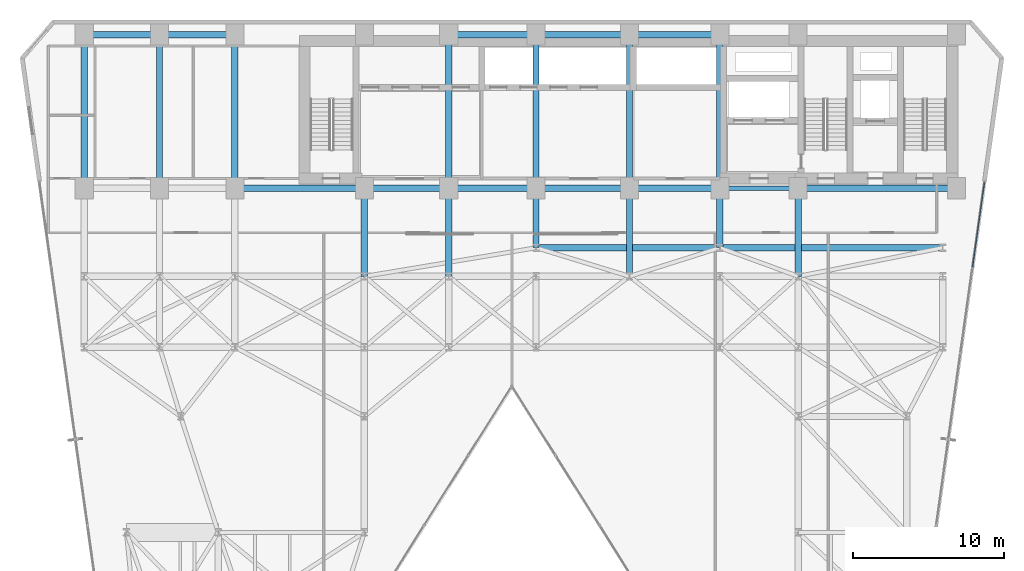
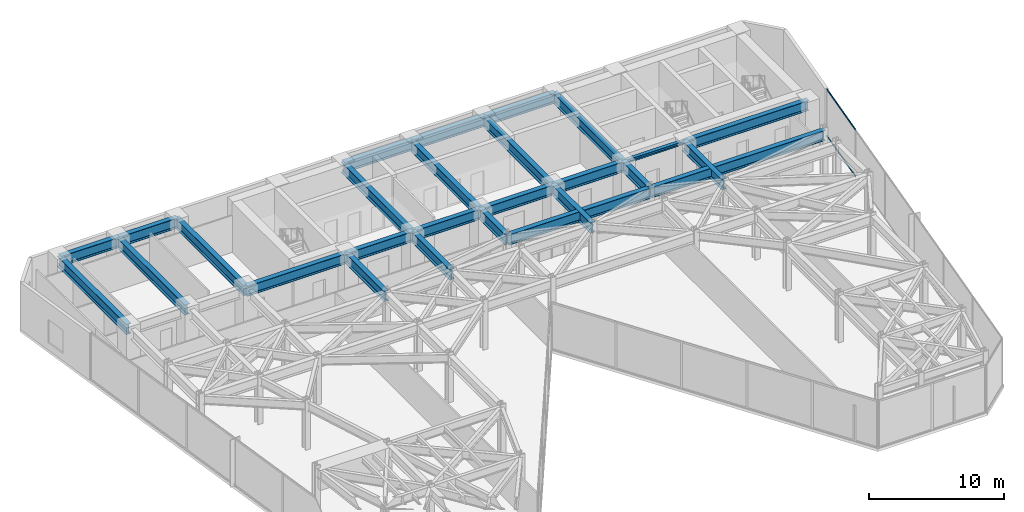
# One storey, part 21 of 28: 27 beams, 2 members, 1 element without a shape of its own.
"""IFC4 building model written with IfcOpenShell, lengths in metres."""

from ifc_helpers import new_model, si_unit, direction, frame, origin, origin_2d, place, context, subcontext, project, spatial, hollow_rectangle, i_section, extrude, material, layer, layer_set, material_profile, profile_set, type_object, element, aggregate, save


model = new_model("IFC4")

# Units and contexts
model_context = context("Model", 3, precision=1e-05, world=origin(), true_north=direction((0.0, 1.0)))
body_context = subcontext(model_context, "Body", "Model", "MODEL_VIEW")
ifc_project = project(units=[si_unit("LENGTHUNIT", "METRE"), si_unit("AREAUNIT", "SQUARE_METRE"), si_unit("VOLUMEUNIT", "CUBIC_METRE"), si_unit("PLANEANGLEUNIT", "RADIAN"), si_unit("MASSUNIT", "GRAM", prefix="KILO")], contexts=[model_context])

# Site, building, storey
site_placement = place(None, origin())
site = spatial("IfcSite", under=ifc_project, at=site_placement, CompositionType="ELEMENT")
building_placement = place(site_placement, origin())
building = spatial("IfcBuilding", under=site, at=building_placement, Name="Kravanh Interchange Tower", CompositionType="ELEMENT")
storey_placement = place(building_placement, frame((0.0, 0.0, 91.5)))
storey = spatial("IfcBuildingStorey", under=building, at=storey_placement, Name="L21", CompositionType="ELEMENT", Elevation=91.5)

# Curtain wall, members
ifc_material_1 = material(Name="Anodised Bronze Aluminium", Category="aluminium")
ifc_layer = layer(ifc_material_1, 0.179931640625)
ifc_layer_set = layer_set([ifc_layer], Name="Unitised Curtain Wall System CW-SKY Sky Observatory")
curtain_wall_type = type_object("IfcCurtainWallType", Name="Unitised Curtain Wall System CW-SKY Sky Observatory", PredefinedType="NOTDEFINED", material=ifc_layer_set)
curtain_wall_placement = place(storey_placement, origin())
curtain_wall = element("IfcCurtainWall", 1, at=curtain_wall_placement, inside=storey, type_object=curtain_wall_type, Name="L21 Unitised Curtain Wall CW-L21-02", PredefinedType="NOTDEFINED")
ifc_material_2 = material(Name="Anodised Bronze Aluminium", Category="aluminium")
ifc_material_profile_1 = material_profile(ifc_material_2, hollow_rectangle(XDim=0.06005859375, YDim=0.139892578125, WallThickness=0.00390625, at=origin_2d()), Name="ALU60X140X4")
ifc_profile_set_1 = profile_set([ifc_material_profile_1], Name="Anodised Bronze Aluminium")
member_type = type_object("IfcMemberType", Name="Curtain Wall Transom ALU60X140X4 Bronze", PredefinedType="USERDEFINED", material=ifc_profile_set_1)
member_1_placement = place(storey_placement, frame((68.365478515625, 37.730712890625, 0.030029296875), z_axis=(-0.139193386559, -0.990265217575, 0.0), x_axis=(0.990265217575, -0.139193386559, 0.0)))
member_1 = element("IfcMember", 2, at=member_1_placement, type_object=member_type, Name="CW-SKY transom 1.1", ObjectType="TRANSOM", PredefinedType="USERDEFINED", context=body_context, shape_type="SweptSolid", body=[
    extrude(hollow_rectangle(XDim=0.06005859375, YDim=0.139892578125, WallThickness=0.00390625, at=origin_2d()), origin(), (0.0, 0.0, 1.0), 5.661865234375),
])
member_2_placement = place(storey_placement, frame((68.365478515625, 37.730712890625, 4.219970703125), z_axis=(-0.139193386559, -0.990265217575, 0.0), x_axis=(0.990265217575, -0.139193386559, 0.0)))
member_2 = element("IfcMember", 3, at=member_2_placement, type_object=member_type, Name="CW-SKY transom 1.2", ObjectType="TRANSOM", PredefinedType="USERDEFINED", context=body_context, shape_type="SweptSolid", body=[
    extrude(hollow_rectangle(XDim=0.06005859375, YDim=0.139892578125, WallThickness=0.00390625, at=origin_2d()), origin(), (0.0, 0.0, 1.0), 5.661865234375),
])
aggregate(curtain_wall, [member_1, member_2])

# Beams
ifc_material_3 = material(Name="Structural Steel S355", Category="steel")
ifc_material_profile_2 = material_profile(ifc_material_3, i_section(OverallWidth=0.41796875, OverallDepth=0.927001953125, WebThickness=0.019287109375, FlangeThickness=0.031982421875, FilletRadius=0.028076171875, at=origin_2d()), Name="W36X231")
ifc_profile_set_2 = profile_set([ifc_material_profile_2], Name="Structural Steel S355")
beam_type_1 = type_object("IfcBeamType", Name="Floor Beam W36X231 Structural Steel S355", PredefinedType="BEAM", material=ifc_profile_set_2)
beam_1_placement = place(storey_placement, frame((66.5, 37.35009765625, 3.78662109375), z_axis=(-1.0, 0.0, 0.0), x_axis=(0.0, -1.0, 0.0)))
element("IfcBeam", 4, at=beam_1_placement, inside=storey, type_object=beam_type_1, Name="L21 Primary Floor Girder 5", PredefinedType="BEAM", context=body_context, shape_type="SweptSolid", body=[
    extrude(i_section(OverallWidth=0.41796875, OverallDepth=0.927001953125, WebThickness=0.019287109375, FlangeThickness=0.031982421875, FilletRadius=0.028076171875, at=origin_2d()), origin(), (0.0, 0.0, 1.0), 10.5),
])
beam_2_placement = place(storey_placement, frame((56.0, 37.35009765625, 3.78662109375), z_axis=(0.0, -1.0, 0.0), x_axis=(1.0, 0.0, 0.0)))
element("IfcBeam", 5, at=beam_2_placement, inside=storey, type_object=beam_type_1, Name="L21 Primary Floor Girder 7", PredefinedType="BEAM", context=body_context, shape_type="SweptSolid", body=[
    extrude(i_section(OverallWidth=0.41796875, OverallDepth=0.927001953125, WebThickness=0.019287109375, FlangeThickness=0.031982421875, FilletRadius=0.028076171875, at=origin_2d()), origin(), (0.0, 0.0, 1.0), 5.85009765625),
])
beam_3_placement = place(storey_placement, frame((50.800048828125, 47.550048828125, 3.78662109375), z_axis=(-1.0, 0.0, 0.0), x_axis=(0.0, -1.0, 0.0)))
element("IfcBeam", 6, at=beam_3_placement, inside=storey, type_object=beam_type_1, Name="L21 Primary Floor Girder 8", PredefinedType="BEAM", context=body_context, shape_type="SweptSolid", body=[
    extrude(i_section(OverallWidth=0.41796875, OverallDepth=0.927001953125, WebThickness=0.019287109375, FlangeThickness=0.031982421875, FilletRadius=0.028076171875, at=origin_2d()), origin(), (0.0, 0.0, 1.0), 6.0),
])
beam_4_placement = place(storey_placement, frame((50.800048828125, 47.550048828125, 3.78662109375), z_axis=(0.0, -1.0, 0.0), x_axis=(1.0, 0.0, 0.0)))
element("IfcBeam", 7, at=beam_4_placement, inside=storey, type_object=beam_type_1, Name="L21 Primary Floor Girder 9", PredefinedType="BEAM", context=body_context, shape_type="SweptSolid", body=[
    extrude(i_section(OverallWidth=0.41796875, OverallDepth=0.927001953125, WebThickness=0.019287109375, FlangeThickness=0.031982421875, FilletRadius=0.028076171875, at=origin_2d()), origin(), (0.0, 0.0, 1.0), 10.199951171875),
])
beam_5_placement = place(storey_placement, frame((50.800048828125, 37.35009765625, 3.78662109375), z_axis=(0.0, -1.0, 0.0), x_axis=(1.0, 0.0, 0.0)))
element("IfcBeam", 8, at=beam_5_placement, inside=storey, type_object=beam_type_1, Name="L21 Primary Floor Girder 10", PredefinedType="BEAM", context=body_context, shape_type="SweptSolid", body=[
    extrude(i_section(OverallWidth=0.41796875, OverallDepth=0.927001953125, WebThickness=0.019287109375, FlangeThickness=0.031982421875, FilletRadius=0.028076171875, at=origin_2d()), origin(), (0.0, 0.0, 1.0), 3.9501953125),
])
beam_6_placement = place(storey_placement, frame((50.800048828125, 37.35009765625, 3.78662109375), z_axis=(-1.0, 0.0, 0.0), x_axis=(0.0, -1.0, 0.0)))
element("IfcBeam", 9, at=beam_6_placement, inside=storey, type_object=beam_type_1, Name="L21 Primary Floor Girder 11", PredefinedType="BEAM", context=body_context, shape_type="SweptSolid", body=[
    extrude(i_section(OverallWidth=0.41796875, OverallDepth=0.927001953125, WebThickness=0.019287109375, FlangeThickness=0.031982421875, FilletRadius=0.028076171875, at=origin_2d()), origin(), (0.0, 0.0, 1.0), 6.0),
])
beam_7_placement = place(storey_placement, frame((44.800048828125, 37.35009765625, 3.78662109375), z_axis=(0.0, -1.0, 0.0), x_axis=(1.0, 0.0, 0.0)))
element("IfcBeam", 10, at=beam_7_placement, inside=storey, type_object=beam_type_1, Name="L21 Primary Floor Girder 12", PredefinedType="BEAM", context=body_context, shape_type="SweptSolid", body=[
    extrude(i_section(OverallWidth=0.41796875, OverallDepth=0.927001953125, WebThickness=0.019287109375, FlangeThickness=0.031982421875, FilletRadius=0.028076171875, at=origin_2d()), origin(), (0.0, 0.0, 1.0), 5.85009765625),
])
beam_8_placement = place(storey_placement, frame((44.800048828125, 37.35009765625, 3.78662109375), z_axis=(-1.0, 0.0, 0.0), x_axis=(0.0, -1.0, 0.0)))
element("IfcBeam", 11, at=beam_8_placement, inside=storey, type_object=beam_type_1, Name="L21 Primary Floor Girder 13", PredefinedType="BEAM", context=body_context, shape_type="SweptSolid", body=[
    extrude(i_section(OverallWidth=0.41796875, OverallDepth=0.927001953125, WebThickness=0.019287109375, FlangeThickness=0.031982421875, FilletRadius=0.028076171875, at=origin_2d()), origin(), (0.0, 0.0, 1.0), 6.199951171875),
])
beam_9_placement = place(storey_placement, frame((44.800048828125, 37.35009765625, 3.78662109375), z_axis=(0.0, 1.0, 0.0), x_axis=(-1.0, 0.0, 0.0)))
element("IfcBeam", 12, at=beam_9_placement, inside=storey, type_object=beam_type_1, Name="L21 Primary Floor Girder 14", PredefinedType="BEAM", context=body_context, shape_type="SweptSolid", body=[
    extrude(i_section(OverallWidth=0.41796875, OverallDepth=0.927001953125, WebThickness=0.019287109375, FlangeThickness=0.031982421875, FilletRadius=0.028076171875, at=origin_2d()), origin(), (0.0, 0.0, 1.0), 10.199951171875),
])
beam_10_placement = place(storey_placement, frame((44.800048828125, 47.550048828125, 3.78662109375), z_axis=(-1.0, 0.0, 0.0), x_axis=(0.0, -1.0, 0.0)))
element("IfcBeam", 13, at=beam_10_placement, inside=storey, type_object=beam_type_1, Name="L21 Primary Floor Girder 15", PredefinedType="BEAM", context=body_context, shape_type="SweptSolid", body=[
    extrude(i_section(OverallWidth=0.41796875, OverallDepth=0.927001953125, WebThickness=0.019287109375, FlangeThickness=0.031982421875, FilletRadius=0.028076171875, at=origin_2d()), origin(), (0.0, 0.0, 1.0), 6.199951171875),
])
beam_11_placement = place(storey_placement, frame((38.60009765625, 37.35009765625, 3.78662109375), z_axis=(0.0, -1.0, 0.0), x_axis=(1.0, 0.0, 0.0)))
element("IfcBeam", 14, at=beam_11_placement, inside=storey, type_object=beam_type_1, Name="L21 Primary Floor Girder 16", PredefinedType="BEAM", context=body_context, shape_type="SweptSolid", body=[
    extrude(i_section(OverallWidth=0.41796875, OverallDepth=0.927001953125, WebThickness=0.019287109375, FlangeThickness=0.031982421875, FilletRadius=0.028076171875, at=origin_2d()), origin(), (0.0, 0.0, 1.0), 3.9501953125),
])
beam_12_placement = place(storey_placement, frame((38.60009765625, 37.35009765625, 3.78662109375), z_axis=(-1.0, 0.0, 0.0), x_axis=(0.0, -1.0, 0.0)))
element("IfcBeam", 15, at=beam_12_placement, inside=storey, type_object=beam_type_1, Name="L21 Primary Floor Girder 17", PredefinedType="BEAM", context=body_context, shape_type="SweptSolid", body=[
    extrude(i_section(OverallWidth=0.41796875, OverallDepth=0.927001953125, WebThickness=0.019287109375, FlangeThickness=0.031982421875, FilletRadius=0.028076171875, at=origin_2d()), origin(), (0.0, 0.0, 1.0), 5.800048828125),
])
beam_13_placement = place(storey_placement, frame((38.60009765625, 37.35009765625, 3.78662109375), z_axis=(0.0, 1.0, 0.0), x_axis=(-1.0, 0.0, 0.0)))
element("IfcBeam", 16, at=beam_13_placement, inside=storey, type_object=beam_type_1, Name="L21 Primary Floor Girder 18", PredefinedType="BEAM", context=body_context, shape_type="SweptSolid", body=[
    extrude(i_section(OverallWidth=0.41796875, OverallDepth=0.927001953125, WebThickness=0.019287109375, FlangeThickness=0.031982421875, FilletRadius=0.028076171875, at=origin_2d()), origin(), (0.0, 0.0, 1.0), 10.199951171875),
])
beam_14_placement = place(storey_placement, frame((38.60009765625, 47.550048828125, 3.78662109375), z_axis=(-1.0, 0.0, 0.0), x_axis=(0.0, -1.0, 0.0)))
element("IfcBeam", 17, at=beam_14_placement, inside=storey, type_object=beam_type_1, Name="L21 Primary Floor Girder 19", PredefinedType="BEAM", context=body_context, shape_type="SweptSolid", body=[
    extrude(i_section(OverallWidth=0.41796875, OverallDepth=0.927001953125, WebThickness=0.019287109375, FlangeThickness=0.031982421875, FilletRadius=0.028076171875, at=origin_2d()), origin(), (0.0, 0.0, 1.0), 5.800048828125),
])
beam_15_placement = place(storey_placement, frame((32.800048828125, 37.35009765625, 3.78662109375), z_axis=(-1.0, 0.0, 0.0), x_axis=(0.0, -1.0, 0.0)))
element("IfcBeam", 18, at=beam_15_placement, inside=storey, type_object=beam_type_1, Name="L21 Primary Floor Girder 20", PredefinedType="BEAM", context=body_context, shape_type="SweptSolid", body=[
    extrude(i_section(OverallWidth=0.41796875, OverallDepth=0.927001953125, WebThickness=0.019287109375, FlangeThickness=0.031982421875, FilletRadius=0.028076171875, at=origin_2d()), origin(), (0.0, 0.0, 1.0), 5.60009765625),
])
beam_16_placement = place(storey_placement, frame((32.800048828125, 37.35009765625, 3.78662109375), z_axis=(0.0, -1.0, 0.0), x_axis=(1.0, 0.0, 0.0)))
element("IfcBeam", 19, at=beam_16_placement, inside=storey, type_object=beam_type_1, Name="L21 Primary Floor Girder 21", PredefinedType="BEAM", context=body_context, shape_type="SweptSolid", body=[
    extrude(i_section(OverallWidth=0.41796875, OverallDepth=0.927001953125, WebThickness=0.019287109375, FlangeThickness=0.031982421875, FilletRadius=0.028076171875, at=origin_2d()), origin(), (0.0, 0.0, 1.0), 5.85009765625),
])
beam_17_placement = place(storey_placement, frame((32.800048828125, 37.35009765625, 3.78662109375), z_axis=(0.0, 1.0, 0.0), x_axis=(-1.0, 0.0, 0.0)))
element("IfcBeam", 20, at=beam_17_placement, inside=storey, type_object=beam_type_1, Name="L21 Primary Floor Girder 22", PredefinedType="BEAM", context=body_context, shape_type="SweptSolid", body=[
    extrude(i_section(OverallWidth=0.41796875, OverallDepth=0.927001953125, WebThickness=0.019287109375, FlangeThickness=0.031982421875, FilletRadius=0.028076171875, at=origin_2d()), origin(), (0.0, 0.0, 1.0), 10.199951171875),
])
beam_18_placement = place(storey_placement, frame((27.199951171875, 37.35009765625, 3.78662109375), z_axis=(0.0, -1.0, 0.0), x_axis=(1.0, 0.0, 0.0)))
element("IfcBeam", 21, at=beam_18_placement, inside=storey, type_object=beam_type_1, Name="L21 Primary Floor Girder 24", PredefinedType="BEAM", context=body_context, shape_type="SweptSolid", body=[
    extrude(i_section(OverallWidth=0.41796875, OverallDepth=0.927001953125, WebThickness=0.019287109375, FlangeThickness=0.031982421875, FilletRadius=0.028076171875, at=origin_2d()), origin(), (0.0, 0.0, 1.0), 5.85009765625),
])
beam_19_placement = place(storey_placement, frame((27.199951171875, 37.35009765625, 3.78662109375), z_axis=(-1.0, 0.0, 0.0), x_axis=(0.0, -1.0, 0.0)))
element("IfcBeam", 22, at=beam_19_placement, inside=storey, type_object=beam_type_1, Name="L21 Primary Floor Girder 25", PredefinedType="BEAM", context=body_context, shape_type="SweptSolid", body=[
    extrude(i_section(OverallWidth=0.41796875, OverallDepth=0.927001953125, WebThickness=0.019287109375, FlangeThickness=0.031982421875, FilletRadius=0.028076171875, at=origin_2d()), origin(), (0.0, 0.0, 1.0), 8.599853515625),
])
beam_20_placement = place(storey_placement, frame((18.60009765625, 37.35009765625, 3.78662109375), z_axis=(0.0, 1.0, 0.0), x_axis=(-1.0, 0.0, 0.0)))
element("IfcBeam", 23, at=beam_20_placement, inside=storey, type_object=beam_type_1, Name="L21 Primary Floor Girder 30", PredefinedType="BEAM", context=body_context, shape_type="SweptSolid", body=[
    extrude(i_section(OverallWidth=0.41796875, OverallDepth=0.927001953125, WebThickness=0.019287109375, FlangeThickness=0.031982421875, FilletRadius=0.028076171875, at=origin_2d()), origin(), (0.0, 0.0, 1.0), 10.199951171875),
])
beam_21_placement = place(storey_placement, frame((18.60009765625, 47.550048828125, 3.78662109375), z_axis=(-1.0, 0.0, 0.0), x_axis=(0.0, -1.0, 0.0)))
element("IfcBeam", 24, at=beam_21_placement, inside=storey, type_object=beam_type_1, Name="L21 Primary Floor Girder 31", PredefinedType="BEAM", context=body_context, shape_type="SweptSolid", body=[
    extrude(i_section(OverallWidth=0.41796875, OverallDepth=0.927001953125, WebThickness=0.019287109375, FlangeThickness=0.031982421875, FilletRadius=0.028076171875, at=origin_2d()), origin(), (0.0, 0.0, 1.0), 5.0),
])
beam_22_placement = place(storey_placement, frame((13.60009765625, 37.35009765625, 3.78662109375), z_axis=(0.0, 1.0, 0.0), x_axis=(-1.0, 0.0, 0.0)))
element("IfcBeam", 25, at=beam_22_placement, inside=storey, type_object=beam_type_1, Name="L21 Primary Floor Girder 34", PredefinedType="BEAM", context=body_context, shape_type="SweptSolid", body=[
    extrude(i_section(OverallWidth=0.41796875, OverallDepth=0.927001953125, WebThickness=0.019287109375, FlangeThickness=0.031982421875, FilletRadius=0.028076171875, at=origin_2d()), origin(), (0.0, 0.0, 1.0), 10.199951171875),
])
beam_23_placement = place(storey_placement, frame((13.60009765625, 47.550048828125, 3.78662109375), z_axis=(-1.0, 0.0, 0.0), x_axis=(0.0, -1.0, 0.0)))
element("IfcBeam", 26, at=beam_23_placement, inside=storey, type_object=beam_type_1, Name="L21 Primary Floor Girder 35", PredefinedType="BEAM", context=body_context, shape_type="SweptSolid", body=[
    extrude(i_section(OverallWidth=0.41796875, OverallDepth=0.927001953125, WebThickness=0.019287109375, FlangeThickness=0.031982421875, FilletRadius=0.028076171875, at=origin_2d()), origin(), (0.0, 0.0, 1.0), 5.0),
])
beam_24_placement = place(storey_placement, frame((8.60009765625, 37.35009765625, 3.78662109375), z_axis=(0.0, 1.0, 0.0), x_axis=(-1.0, 0.0, 0.0)))
element("IfcBeam", 27, at=beam_24_placement, inside=storey, type_object=beam_type_1, Name="L21 Primary Floor Girder 37", PredefinedType="BEAM", context=body_context, shape_type="SweptSolid", body=[
    extrude(i_section(OverallWidth=0.41796875, OverallDepth=0.927001953125, WebThickness=0.019287109375, FlangeThickness=0.031982421875, FilletRadius=0.028076171875, at=origin_2d()), origin(), (0.0, 0.0, 1.0), 10.199951171875),
])
beam_25_placement = place(storey_placement, frame((38.60009765625, 33.39990234375, 3.78662109375), z_axis=(1.0, 0.0, 0.0), x_axis=(0.0, 1.0, 0.0)))
element("IfcBeam", 28, at=beam_25_placement, inside=storey, type_object=beam_type_1, Name="L21 Primary Floor Girder 145", PredefinedType="BEAM", context=body_context, shape_type="SweptSolid", body=[
    extrude(i_section(OverallWidth=0.41796875, OverallDepth=0.927001953125, WebThickness=0.019287109375, FlangeThickness=0.031982421875, FilletRadius=0.028076171875, at=origin_2d()), origin(), (0.0, 0.0, 1.0), 12.199951171875),
])
beam_26_placement = place(storey_placement, frame((50.800048828125, 33.39990234375, 3.78662109375), z_axis=(1.0, 0.0, 0.0), x_axis=(0.0, 1.0, 0.0)))
element("IfcBeam", 29, at=beam_26_placement, inside=storey, type_object=beam_type_1, Name="L21 Primary Floor Girder 146", PredefinedType="BEAM", context=body_context, shape_type="SweptSolid", body=[
    extrude(i_section(OverallWidth=0.41796875, OverallDepth=0.927001953125, WebThickness=0.019287109375, FlangeThickness=0.031982421875, FilletRadius=0.028076171875, at=origin_2d()), origin(), (0.0, 0.0, 1.0), 14.800048828125),
])
ifc_material_4 = material(Name="Structural Steel S355", Category="steel")
ifc_material_profile_3 = material_profile(ifc_material_4, i_section(OverallWidth=0.304931640625, OverallDepth=0.306884765625, WebThickness=0.010009765625, FlangeThickness=0.015380859375, FilletRadius=0.014892578125, at=origin_2d()), Name="W12X65")
ifc_profile_set_3 = profile_set([ifc_material_profile_3], Name="Structural Steel S355")
beam_type_2 = type_object("IfcBeamType", Name="Floor Lintel W12X65 Structural Steel S355", PredefinedType="LINTEL", material=ifc_profile_set_3)
beam_27_placement = place(storey_placement, frame((50.800048828125, 37.35009765625, 4.096435546875), z_axis=(1.0, 0.0, 0.0), x_axis=(0.0, 1.0, 0.0)))
element("IfcBeam", 30, at=beam_27_placement, inside=storey, type_object=beam_type_2, Name="L21 Core Coupling Lintel 1", PredefinedType="LINTEL", context=body_context, shape_type="SweptSolid", body=[
    extrude(i_section(OverallWidth=0.304931640625, OverallDepth=0.306884765625, WebThickness=0.010009765625, FlangeThickness=0.015380859375, FilletRadius=0.014892578125, at=origin_2d()), origin(), (0.0, 0.0, 1.0), 5.199951171875),
])

save(model, "model.ifc")
